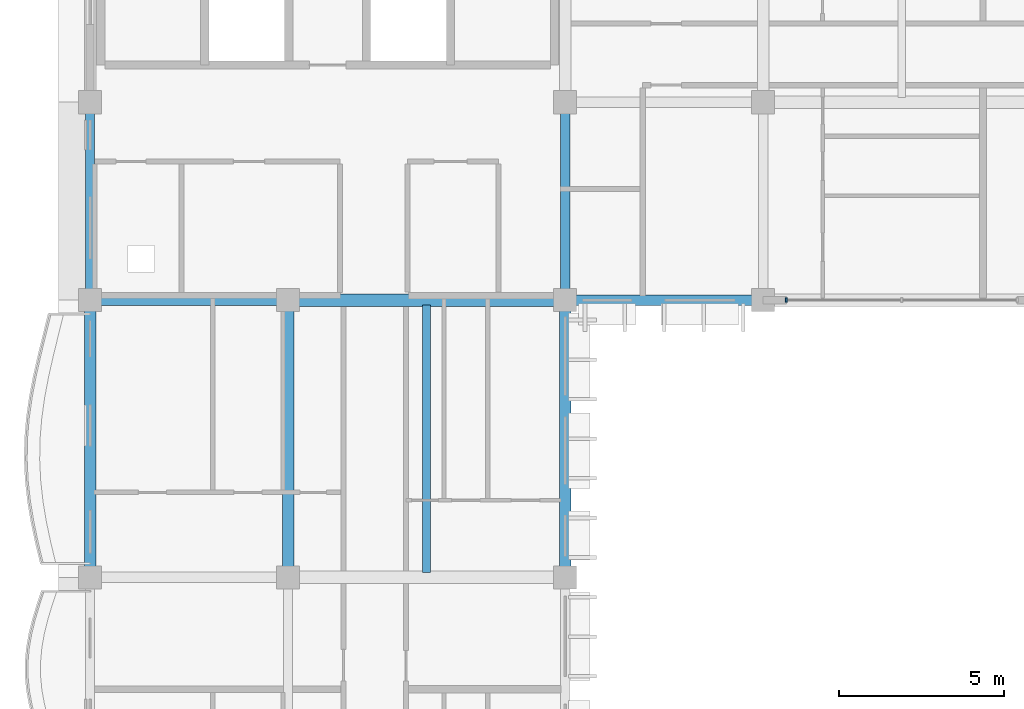
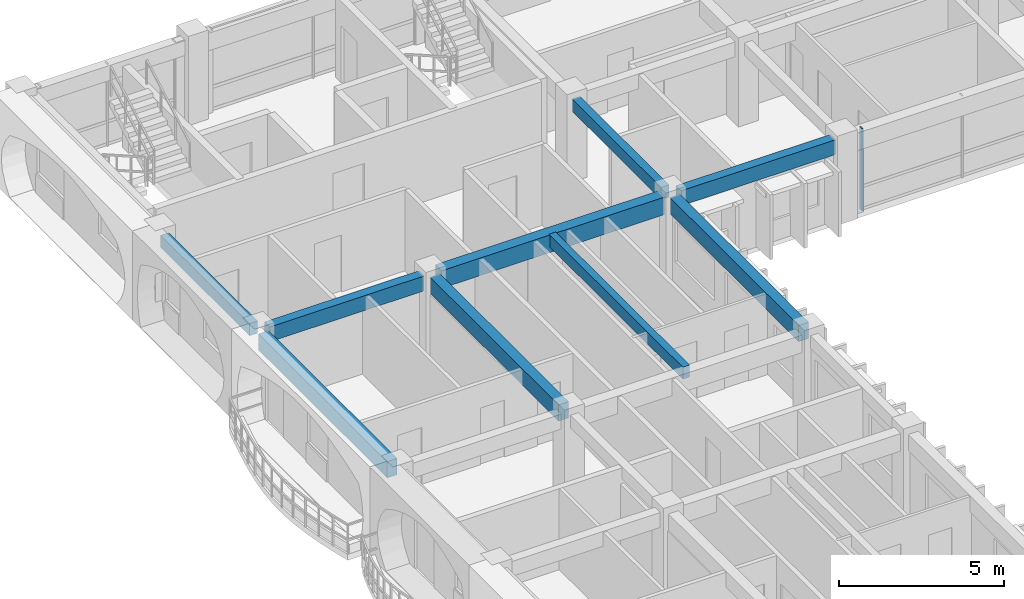
# One storey, part 9 of 79: 9 beams, 1 member, 1 element without a shape of its own.
"""IFC4 building model written with IfcOpenShell, lengths in metres."""

from ifc_helpers import new_model, si_unit, direction, frame, origin, origin_2d, place, context, subcontext, project, spatial, rectangle, extrude, material, material_profile, profile_set, type_object, element, aggregate, save


model = new_model("IFC4")

# Units and contexts
model_context = context("Model", 3, precision=1e-05, world=origin(), true_north=direction((0.0, 1.0)))
body_context = subcontext(model_context, "Body", "Model", "MODEL_VIEW")
ifc_project = project(units=[si_unit("LENGTHUNIT", "METRE"), si_unit("AREAUNIT", "SQUARE_METRE"), si_unit("VOLUMEUNIT", "CUBIC_METRE"), si_unit("PLANEANGLEUNIT", "RADIAN"), si_unit("MASSUNIT", "GRAM", prefix="KILO"), si_unit("THERMODYNAMICTEMPERATUREUNIT", "KELVIN")], contexts=[model_context])

# Site, building, storey
site_placement = place(None, origin())
site = spatial("IfcSite", under=ifc_project, at=site_placement, CompositionType="ELEMENT")
building_placement = place(site_placement, origin())
building = spatial("IfcBuilding", under=site, at=building_placement, Name="Thalorik Housing Commons", CompositionType="ELEMENT")
storey_placement = place(building_placement, frame((0.0, 0.0, 11.39990234375)))
storey = spatial("IfcBuildingStorey", under=building, at=storey_placement, Name="L03", CompositionType="ELEMENT", Elevation=11.39990234375)

# Curtain wall, member
ifc_material_1 = material(Name="Anodised aluminium and solar-control low-E glass", Category="aluminium")
curtain_wall_type = type_object("IfcCurtainWallType", Name="ARC-CW-LOUNGE", PredefinedType="USERDEFINED", material=ifc_material_1)
curtain_wall_placement = place(storey_placement, origin())
curtain_wall = element("IfcCurtainWall", 1, at=curtain_wall_placement, inside=storey, type_object=curtain_wall_type, Name="L03 Curtain Wall CW-RES-L03-A-011", ObjectType="CURTAIN WALL", PredefinedType="USERDEFINED")
ifc_material_2 = material(Name="Anodised aluminium 6063-T6", Category="aluminium")
ifc_material_profile_1 = material_profile(ifc_material_2, rectangle(XDim=0.054931640625, YDim=0.139892578125, at=origin_2d()), Name="ALU MUL 55x140", Category="aluminium")
ifc_profile_set_1 = profile_set([ifc_material_profile_1], Name="Anodised aluminium 6063-T6")
member_type = type_object("IfcMemberType", Name="ARC-CW-MUL-55x140", PredefinedType="MULLION", material=ifc_profile_set_1)
member_placement = place(storey_placement, frame((29.5, 109.199951171875, 0.0), z_axis=(0.0, 0.0, 1.0), x_axis=(1.0, 0.0, 0.0)))
member = element("IfcMember", 2, at=member_placement, type_object=member_type, Name="CW-RES-L03-A-011 Mullion 1", PredefinedType="MULLION", context=body_context, shape_type="SweptSolid", body=[
    extrude(rectangle(XDim=0.054931640625, YDim=0.139892578125, at=origin_2d()), origin(), (0.0, 0.0, 1.0), 3.0400390625),
])
aggregate(curtain_wall, [member])

# Beams
ifc_material_3 = material(Name="Precast concrete C40/50", Category="concrete")
ifc_material_profile_2 = material_profile(ifc_material_3, rectangle(XDim=0.280029296875, YDim=0.449951171875, at=origin_2d()), Name="PC 280x450", Category="concrete")
ifc_profile_set_2 = profile_set([ifc_material_profile_2], Name="Precast concrete C40/50")
beam_type_1 = type_object("IfcBeamType", Name="STR-BM-PC280x450", PredefinedType="BEAM", material=ifc_profile_set_2)
for number, where, z_axis, x_axis, name in (
    (3, (8.39990234375, 109.5, 2.815185546875), (0.0, 1.0, 0.0), (-1.0, 0.0, 0.0), "L03 Beam B-450"),
    (4, (22.800048828125, 109.5, 2.815185546875), (0.0, 1.0, 0.0), (-1.0, 0.0, 0.0), "L03 Beam B-450"),
):
    element("IfcBeam", number, at=place(storey_placement, frame(where, z_axis=z_axis, x_axis=x_axis)), inside=storey, type_object=beam_type_1, Name=name, PredefinedType="BEAM", context=body_context, shape_type="SweptSolid", body=[
        extrude(rectangle(XDim=0.280029296875, YDim=0.449951171875, at=origin_2d()), origin(), (0.0, 0.0, 1.0), 5.39990234375),
    ])
ifc_material_profile_3 = material_profile(ifc_material_3, rectangle(XDim=0.320068359375, YDim=0.550048828125, at=origin_2d()), Name="PC 320x550", Category="concrete")
ifc_profile_set_3 = profile_set([ifc_material_profile_3], Name="Precast concrete C40/50")
beam_type_2 = type_object("IfcBeamType", Name="STR-BM-PC320x550", PredefinedType="BEAM", material=ifc_profile_set_3)
beam_1_placement = place(storey_placement, frame((8.699951171875, 109.199951171875, 2.76513671875), z_axis=(1.0, 0.0, 0.0), x_axis=(0.0, 1.0, 0.0)))
element("IfcBeam", 5, at=beam_1_placement, inside=storey, type_object=beam_type_2, Name="L03 Beam B-550", PredefinedType="BEAM", context=body_context, shape_type="SweptSolid", body=[
    extrude(rectangle(XDim=0.320068359375, YDim=0.550048828125, at=origin_2d()), origin(), (0.0, 0.0, 1.0), 5.400146484375),
])
beam_2_placement = place(storey_placement, frame((23.10009765625, 109.199951171875, 2.76513671875), z_axis=(1.0, 0.0, 0.0), x_axis=(0.0, 1.0, 0.0)))
element("IfcBeam", 6, at=beam_2_placement, inside=storey, type_object=beam_type_2, Name="L03 Beam B-550", PredefinedType="BEAM", context=body_context, shape_type="SweptSolid", body=[
    extrude(rectangle(XDim=0.320068359375, YDim=0.550048828125, at=origin_2d()), origin(), (0.0, 0.0, 1.0), 5.39990234375),
])
ifc_material_profile_4 = material_profile(ifc_material_3, rectangle(XDim=0.35009765625, YDim=0.60009765625, at=origin_2d()), Name="PC 350x600", Category="concrete")
ifc_profile_set_4 = profile_set([ifc_material_profile_4], Name="Precast concrete C40/50")
beam_type_3 = type_object("IfcBeamType", Name="STR-BM-PC350x600", PredefinedType="BEAM", material=ifc_profile_set_4)
for number, where, z_axis, x_axis, name in (
    (7, (8.39990234375, 101.10009765625, 2.739990234375), (0.0, 1.0, 0.0), (-1.0, 0.0, 0.0), "L03 Beam B-600"),
    (8, (14.39990234375, 101.10009765625, 2.739990234375), (0.0, 1.0, 0.0), (-1.0, 0.0, 0.0), "L03 Beam B-600"),
    (9, (22.800048828125, 101.10009765625, 2.739990234375), (0.0, 1.0, 0.0), (-1.0, 0.0, 0.0), "L03 Beam B-600"),
):
    element("IfcBeam", number, at=place(storey_placement, frame(where, z_axis=z_axis, x_axis=x_axis)), inside=storey, type_object=beam_type_3, Name=name, PredefinedType="BEAM", context=body_context, shape_type="SweptSolid", body=[
        extrude(rectangle(XDim=0.35009765625, YDim=0.60009765625, at=origin_2d()), origin(), (0.0, 0.0, 1.0), 7.7998046875),
    ])
ifc_material_profile_5 = material_profile(ifc_material_3, rectangle(XDim=0.3798828125, YDim=0.64990234375, at=origin_2d()), Name="PC 380x650", Category="concrete")
ifc_profile_set_5 = profile_set([ifc_material_profile_5], Name="Precast concrete C40/50")
beam_type_4 = type_object("IfcBeamType", Name="STR-BM-PC380x650", PredefinedType="BEAM", material=ifc_profile_set_5)
beam_3_placement = place(storey_placement, frame((14.699951171875, 109.199951171875, 2.715087890625), z_axis=(1.0, 0.0, 0.0), x_axis=(0.0, 1.0, 0.0)))
element("IfcBeam", 10, at=beam_3_placement, inside=storey, type_object=beam_type_4, Name="L03 Beam B-650", PredefinedType="BEAM", context=body_context, shape_type="SweptSolid", body=[
    extrude(rectangle(XDim=0.3798828125, YDim=0.64990234375, at=origin_2d()), origin(), (0.0, 0.0, 1.0), 7.800048828125),
])
ifc_material_profile_6 = material_profile(ifc_material_3, rectangle(XDim=0.239990234375, YDim=0.43994140625, at=origin_2d()), Name="PC JST 240x440", Category="concrete")
ifc_profile_set_6 = profile_set([ifc_material_profile_6], Name="Precast concrete C40/50")
beam_type_5 = type_object("IfcBeamType", Name="STR-JST-PC240x440", PredefinedType="JOIST", material=ifc_profile_set_6)
beam_4_placement = place(storey_placement, frame((18.60009765625, 100.93994140625, 2.820068359375), z_axis=(0.0, 1.0, 0.0), x_axis=(-1.0, 0.0, 0.0)))
element("IfcBeam", 11, at=beam_4_placement, inside=storey, type_object=beam_type_5, Name="L03 Beam J-440", PredefinedType="JOIST", context=body_context, shape_type="SweptSolid", body=[
    extrude(rectangle(XDim=0.239990234375, YDim=0.43994140625, at=origin_2d()), origin(), (0.0, 0.0, 1.0), 8.1201171875),
])

save(model, "model.ifc")
